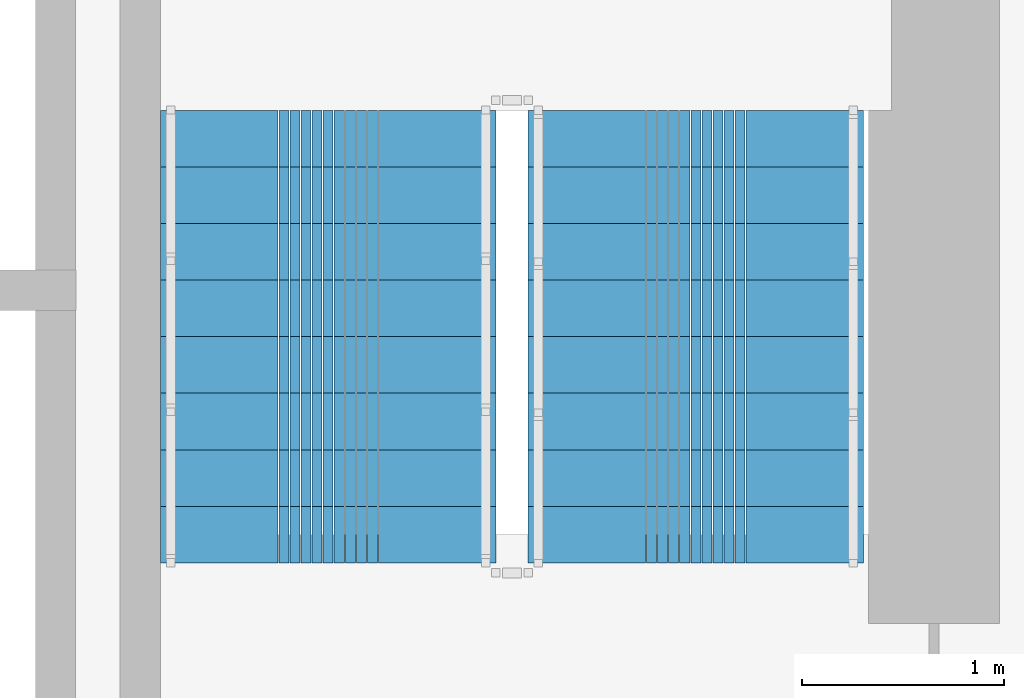
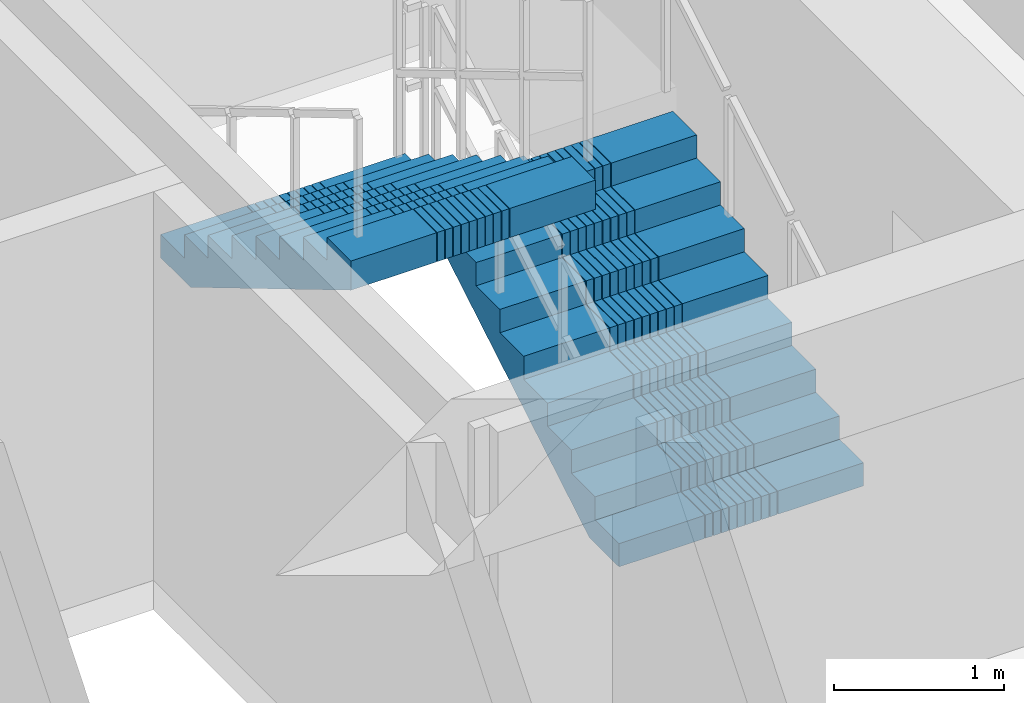
# One storey, part 9 of 15: 2 stair flights, 1 element without a shape of its own.
"""IFC4 building model written with IfcOpenShell, lengths in metres."""

from ifc_helpers import new_model, si_unit, direction, frame, origin, place, context, subcontext, project, spatial, polyline, outline, extrude, material, type_object, element, aggregate, save


model = new_model("IFC4")

# Units and contexts
model_context = context("Model", 3, precision=1e-05, world=origin(), true_north=direction((0.0, 1.0)))
body_context = subcontext(model_context, "Body", "Model", "MODEL_VIEW")
ifc_project = project(units=[si_unit("LENGTHUNIT", "METRE"), si_unit("AREAUNIT", "SQUARE_METRE"), si_unit("VOLUMEUNIT", "CUBIC_METRE"), si_unit("PLANEANGLEUNIT", "RADIAN"), si_unit("MASSUNIT", "GRAM", prefix="KILO")], contexts=[model_context])

# Site, building, storey
site_placement = place(None, origin())
site = spatial("IfcSite", under=ifc_project, at=site_placement, CompositionType="ELEMENT")
building_placement = place(site_placement, origin())
building = spatial("IfcBuilding", under=site, at=building_placement, Name="Saelheon Loggia Tower", CompositionType="ELEMENT")
storey_placement = place(building_placement, frame((0.0, 0.0, 46.39990234375)))
storey = spatial("IfcBuildingStorey", under=building, at=storey_placement, Name="L14", CompositionType="ELEMENT", Elevation=46.39990234375)

# Stair, stair flights
ifc_material = material(Name="Concrete C40/50", Category="concrete")
stair_type = type_object("IfcStairType", Name="Stair_Escape_Core", PredefinedType="HALF_TURN_STAIR", material=ifc_material)
stair_placement = place(storey_placement, origin())
stair = element("IfcStair", 1, at=stair_placement, inside=storey, type_object=stair_type, Name="L14 Special Escape Stair ST2", PredefinedType="HALF_TURN_STAIR")
stair_flight_type = type_object("IfcStairFlightType", Name="StairFlight_Tower_1660", PredefinedType="STRAIGHT", material=ifc_material)
stair_flight_1_placement = place(storey_placement, frame((43.320068359375, 30.449951171875, 0.0), z_axis=(0.0, 0.0, 1.0), x_axis=(0.0, 1.0, 0.0)))
stair_flight_1 = element("IfcStairFlight", 2, at=stair_flight_1_placement, type_object=stair_flight_type, Name="ST2 flight 1", NumberOfRisers=9, NumberOfTreads=8, PredefinedType="STRAIGHT", RiserHeight=0.166666667, TreadLength=0.28, context=body_context, shape_type="SweptSolid", body=[
    extrude(outline(polyline([(0.0, 0.0), (0.0, 0.166748046875), (0.280029296875, 0.166748046875), (0.280029296875, 0.333251953125), (0.56005859375, 0.333251953125), (0.56005859375, 0.5), (0.840087890625, 0.5), (0.840087890625, 0.666748046875), (1.1201171875, 0.666748046875), (1.1201171875, 0.833251953125), (1.39990234375, 0.833251953125), (1.39990234375, 1.0), (1.679931640625, 1.0), (1.679931640625, 1.166748046875), (1.9599609375, 1.166748046875), (1.9599609375, 1.333251953125), (2.239990234375, 1.333251953125), (2.239990234375, 1.5), (2.239990234375, 1.1240234375), (0.351806640625, 0.0), (0.0, 0.0)])), frame((0.0, -0.2490234375, 0.0), z_axis=(0.0, -1.0, 0.0), x_axis=(1.0, 0.0, 0.0)), (0.0, 0.0, 1.0), 0.5810546875),
    extrude(outline(polyline([(0.0, 0.0), (0.0, 0.166748046875), (0.280029296875, 0.166748046875), (0.280029296875, 0.333251953125), (0.56005859375, 0.333251953125), (0.56005859375, 0.5), (0.840087890625, 0.5), (0.840087890625, 0.666748046875), (1.1201171875, 0.666748046875), (1.1201171875, 0.833251953125), (1.39990234375, 0.833251953125), (1.39990234375, 1.0), (1.679931640625, 1.0), (1.679931640625, 1.166748046875), (1.9599609375, 1.166748046875), (1.9599609375, 1.333251953125), (2.239990234375, 1.333251953125), (2.239990234375, 1.5), (2.239990234375, 1.1240234375), (0.351806640625, 0.0), (0.0, 0.0)])), frame((0.0, -0.194091796875, 0.0), z_axis=(0.0, -1.0, 0.0), x_axis=(1.0, 0.0, 0.0)), (0.0, 0.0, 1.0), 0.0498046875),
    extrude(outline(polyline([(0.0, 0.0), (0.0, 0.166748046875), (0.280029296875, 0.166748046875), (0.280029296875, 0.333251953125), (0.56005859375, 0.333251953125), (0.56005859375, 0.5), (0.840087890625, 0.5), (0.840087890625, 0.666748046875), (1.1201171875, 0.666748046875), (1.1201171875, 0.833251953125), (1.39990234375, 0.833251953125), (1.39990234375, 1.0), (1.679931640625, 1.0), (1.679931640625, 1.166748046875), (1.9599609375, 1.166748046875), (1.9599609375, 1.333251953125), (2.239990234375, 1.333251953125), (2.239990234375, 1.5), (2.239990234375, 1.1240234375), (0.351806640625, 0.0), (0.0, 0.0)])), frame((0.0, -0.139404296875, 0.0), z_axis=(0.0, -1.0, 0.0), x_axis=(1.0, 0.0, 0.0)), (0.0, 0.0, 1.0), 0.0498046875),
    extrude(outline(polyline([(0.0, 0.0), (0.0, 0.166748046875), (0.280029296875, 0.166748046875), (0.280029296875, 0.333251953125), (0.56005859375, 0.333251953125), (0.56005859375, 0.5), (0.840087890625, 0.5), (0.840087890625, 0.666748046875), (1.1201171875, 0.666748046875), (1.1201171875, 0.833251953125), (1.39990234375, 0.833251953125), (1.39990234375, 1.0), (1.679931640625, 1.0), (1.679931640625, 1.166748046875), (1.9599609375, 1.166748046875), (1.9599609375, 1.333251953125), (2.239990234375, 1.333251953125), (2.239990234375, 1.5), (2.239990234375, 1.1240234375), (0.351806640625, 0.0), (0.0, 0.0)])), frame((0.0, -0.084716796875, 0.0), z_axis=(0.0, -1.0, 0.0), x_axis=(1.0, 0.0, 0.0)), (0.0, 0.0, 1.0), 0.0498046875),
    extrude(outline(polyline([(0.0, 0.0), (0.0, 0.166748046875), (0.280029296875, 0.166748046875), (0.280029296875, 0.333251953125), (0.56005859375, 0.333251953125), (0.56005859375, 0.5), (0.840087890625, 0.5), (0.840087890625, 0.666748046875), (1.1201171875, 0.666748046875), (1.1201171875, 0.833251953125), (1.39990234375, 0.833251953125), (1.39990234375, 1.0), (1.679931640625, 1.0), (1.679931640625, 1.166748046875), (1.9599609375, 1.166748046875), (1.9599609375, 1.333251953125), (2.239990234375, 1.333251953125), (2.239990234375, 1.5), (2.239990234375, 1.1240234375), (0.351806640625, 0.0), (0.0, 0.0)])), frame((0.0, -0.02978515625, 0.0), z_axis=(0.0, -1.0, 0.0), x_axis=(1.0, 0.0, 0.0)), (0.0, 0.0, 1.0), 0.0498046875),
    extrude(outline(polyline([(0.0, 0.0), (0.0, 0.166748046875), (0.280029296875, 0.166748046875), (0.280029296875, 0.333251953125), (0.56005859375, 0.333251953125), (0.56005859375, 0.5), (0.840087890625, 0.5), (0.840087890625, 0.666748046875), (1.1201171875, 0.666748046875), (1.1201171875, 0.833251953125), (1.39990234375, 0.833251953125), (1.39990234375, 1.0), (1.679931640625, 1.0), (1.679931640625, 1.166748046875), (1.9599609375, 1.166748046875), (1.9599609375, 1.333251953125), (2.239990234375, 1.333251953125), (2.239990234375, 1.5), (2.239990234375, 1.1240234375), (0.351806640625, 0.0), (0.0, 0.0)])), frame((0.0, 0.02490234375, 0.0), z_axis=(0.0, -1.0, 0.0), x_axis=(1.0, 0.0, 0.0)), (0.0, 0.0, 1.0), 0.0498046875),
    extrude(outline(polyline([(0.0, 0.0), (0.0, 0.166748046875), (0.280029296875, 0.166748046875), (0.280029296875, 0.333251953125), (0.56005859375, 0.333251953125), (0.56005859375, 0.5), (0.840087890625, 0.5), (0.840087890625, 0.666748046875), (1.1201171875, 0.666748046875), (1.1201171875, 0.833251953125), (1.39990234375, 0.833251953125), (1.39990234375, 1.0), (1.679931640625, 1.0), (1.679931640625, 1.166748046875), (1.9599609375, 1.166748046875), (1.9599609375, 1.333251953125), (2.239990234375, 1.333251953125), (2.239990234375, 1.5), (2.239990234375, 1.1240234375), (0.351806640625, 0.0), (0.0, 0.0)])), frame((0.0, 0.07958984375, 0.0), z_axis=(0.0, -1.0, 0.0), x_axis=(1.0, 0.0, 0.0)), (0.0, 0.0, 1.0), 0.0498046875),
    extrude(outline(polyline([(0.0, 0.0), (0.0, 0.166748046875), (0.280029296875, 0.166748046875), (0.280029296875, 0.333251953125), (0.56005859375, 0.333251953125), (0.56005859375, 0.5), (0.840087890625, 0.5), (0.840087890625, 0.666748046875), (1.1201171875, 0.666748046875), (1.1201171875, 0.833251953125), (1.39990234375, 0.833251953125), (1.39990234375, 1.0), (1.679931640625, 1.0), (1.679931640625, 1.166748046875), (1.9599609375, 1.166748046875), (1.9599609375, 1.333251953125), (2.239990234375, 1.333251953125), (2.239990234375, 1.5), (2.239990234375, 1.1240234375), (0.351806640625, 0.0), (0.0, 0.0)])), frame((0.0, 0.134521484375, 0.0), z_axis=(0.0, -1.0, 0.0), x_axis=(1.0, 0.0, 0.0)), (0.0, 0.0, 1.0), 0.0498046875),
    extrude(outline(polyline([(0.0, 0.0), (0.0, 0.166748046875), (0.280029296875, 0.166748046875), (0.280029296875, 0.333251953125), (0.56005859375, 0.333251953125), (0.56005859375, 0.5), (0.840087890625, 0.5), (0.840087890625, 0.666748046875), (1.1201171875, 0.666748046875), (1.1201171875, 0.833251953125), (1.39990234375, 0.833251953125), (1.39990234375, 1.0), (1.679931640625, 1.0), (1.679931640625, 1.166748046875), (1.9599609375, 1.166748046875), (1.9599609375, 1.333251953125), (2.239990234375, 1.333251953125), (2.239990234375, 1.5), (2.239990234375, 1.1240234375), (0.351806640625, 0.0), (0.0, 0.0)])), frame((0.0, 0.189208984375, 0.0), z_axis=(0.0, -1.0, 0.0), x_axis=(1.0, 0.0, 0.0)), (0.0, 0.0, 1.0), 0.0498046875),
    extrude(outline(polyline([(0.0, 0.0), (0.0, 0.166748046875), (0.280029296875, 0.166748046875), (0.280029296875, 0.333251953125), (0.56005859375, 0.333251953125), (0.56005859375, 0.5), (0.840087890625, 0.5), (0.840087890625, 0.666748046875), (1.1201171875, 0.666748046875), (1.1201171875, 0.833251953125), (1.39990234375, 0.833251953125), (1.39990234375, 1.0), (1.679931640625, 1.0), (1.679931640625, 1.166748046875), (1.9599609375, 1.166748046875), (1.9599609375, 1.333251953125), (2.239990234375, 1.333251953125), (2.239990234375, 1.5), (2.239990234375, 1.1240234375), (0.351806640625, 0.0), (0.0, 0.0)])), frame((0.0, 0.243896484375, 0.0), z_axis=(0.0, -1.0, 0.0), x_axis=(1.0, 0.0, 0.0)), (0.0, 0.0, 1.0), 0.0498046875),
    extrude(outline(polyline([(0.0, 0.0), (0.0, 0.166748046875), (0.280029296875, 0.166748046875), (0.280029296875, 0.333251953125), (0.56005859375, 0.333251953125), (0.56005859375, 0.5), (0.840087890625, 0.5), (0.840087890625, 0.666748046875), (1.1201171875, 0.666748046875), (1.1201171875, 0.833251953125), (1.39990234375, 0.833251953125), (1.39990234375, 1.0), (1.679931640625, 1.0), (1.679931640625, 1.166748046875), (1.9599609375, 1.166748046875), (1.9599609375, 1.333251953125), (2.239990234375, 1.333251953125), (2.239990234375, 1.5), (2.239990234375, 1.1240234375), (0.351806640625, 0.0), (0.0, 0.0)])), frame((0.0, 0.830078125, 0.0), z_axis=(0.0, -1.0, 0.0), x_axis=(1.0, 0.0, 0.0)), (0.0, 0.0, 1.0), 0.5810546875),
])
stair_flight_2_placement = place(storey_placement, frame((41.5, 32.68994140625, 1.5), z_axis=(0.0, 0.0, 1.0), x_axis=(0.0, -1.0, 0.0)))
stair_flight_2 = element("IfcStairFlight", 3, at=stair_flight_2_placement, type_object=stair_flight_type, Name="ST2 flight 2", NumberOfRisers=9, NumberOfTreads=8, PredefinedType="STRAIGHT", RiserHeight=0.166666667, TreadLength=0.28, context=body_context, shape_type="SweptSolid", body=[
    extrude(outline(polyline([(0.0, 0.0), (0.0, 0.166748046875), (0.280029296875, 0.166748046875), (0.280029296875, 0.333251953125), (0.56005859375, 0.333251953125), (0.56005859375, 0.5), (0.840087890625, 0.5), (0.840087890625, 0.666748046875), (1.1201171875, 0.666748046875), (1.1201171875, 0.833251953125), (1.39990234375, 0.833251953125), (1.39990234375, 1.0), (1.679931640625, 1.0), (1.679931640625, 1.166748046875), (1.9599609375, 1.166748046875), (1.9599609375, 1.333251953125), (2.239990234375, 1.333251953125), (2.239990234375, 1.5), (2.239990234375, 1.1240234375), (0.351806640625, 0.0), (0.0, 0.0)])), frame((0.0, -0.2490234375, 0.0), z_axis=(0.0, -1.0, 0.0), x_axis=(1.0, 0.0, 0.0)), (0.0, 0.0, 1.0), 0.5810546875),
    extrude(outline(polyline([(0.0, 0.0), (0.0, 0.166748046875), (0.280029296875, 0.166748046875), (0.280029296875, 0.333251953125), (0.56005859375, 0.333251953125), (0.56005859375, 0.5), (0.840087890625, 0.5), (0.840087890625, 0.666748046875), (1.1201171875, 0.666748046875), (1.1201171875, 0.833251953125), (1.39990234375, 0.833251953125), (1.39990234375, 1.0), (1.679931640625, 1.0), (1.679931640625, 1.166748046875), (1.9599609375, 1.166748046875), (1.9599609375, 1.333251953125), (2.239990234375, 1.333251953125), (2.239990234375, 1.5), (2.239990234375, 1.1240234375), (0.351806640625, 0.0), (0.0, 0.0)])), frame((0.0, -0.194091796875, 0.0), z_axis=(0.0, -1.0, 0.0), x_axis=(1.0, 0.0, 0.0)), (0.0, 0.0, 1.0), 0.0498046875),
    extrude(outline(polyline([(0.0, 0.0), (0.0, 0.166748046875), (0.280029296875, 0.166748046875), (0.280029296875, 0.333251953125), (0.56005859375, 0.333251953125), (0.56005859375, 0.5), (0.840087890625, 0.5), (0.840087890625, 0.666748046875), (1.1201171875, 0.666748046875), (1.1201171875, 0.833251953125), (1.39990234375, 0.833251953125), (1.39990234375, 1.0), (1.679931640625, 1.0), (1.679931640625, 1.166748046875), (1.9599609375, 1.166748046875), (1.9599609375, 1.333251953125), (2.239990234375, 1.333251953125), (2.239990234375, 1.5), (2.239990234375, 1.1240234375), (0.351806640625, 0.0), (0.0, 0.0)])), frame((0.0, -0.139404296875, 0.0), z_axis=(0.0, -1.0, 0.0), x_axis=(1.0, 0.0, 0.0)), (0.0, 0.0, 1.0), 0.0498046875),
    extrude(outline(polyline([(0.0, 0.0), (0.0, 0.166748046875), (0.280029296875, 0.166748046875), (0.280029296875, 0.333251953125), (0.56005859375, 0.333251953125), (0.56005859375, 0.5), (0.840087890625, 0.5), (0.840087890625, 0.666748046875), (1.1201171875, 0.666748046875), (1.1201171875, 0.833251953125), (1.39990234375, 0.833251953125), (1.39990234375, 1.0), (1.679931640625, 1.0), (1.679931640625, 1.166748046875), (1.9599609375, 1.166748046875), (1.9599609375, 1.333251953125), (2.239990234375, 1.333251953125), (2.239990234375, 1.5), (2.239990234375, 1.1240234375), (0.351806640625, 0.0), (0.0, 0.0)])), frame((0.0, -0.084716796875, 0.0), z_axis=(0.0, -1.0, 0.0), x_axis=(1.0, 0.0, 0.0)), (0.0, 0.0, 1.0), 0.0498046875),
    extrude(outline(polyline([(0.0, 0.0), (0.0, 0.166748046875), (0.280029296875, 0.166748046875), (0.280029296875, 0.333251953125), (0.56005859375, 0.333251953125), (0.56005859375, 0.5), (0.840087890625, 0.5), (0.840087890625, 0.666748046875), (1.1201171875, 0.666748046875), (1.1201171875, 0.833251953125), (1.39990234375, 0.833251953125), (1.39990234375, 1.0), (1.679931640625, 1.0), (1.679931640625, 1.166748046875), (1.9599609375, 1.166748046875), (1.9599609375, 1.333251953125), (2.239990234375, 1.333251953125), (2.239990234375, 1.5), (2.239990234375, 1.1240234375), (0.351806640625, 0.0), (0.0, 0.0)])), frame((0.0, -0.02978515625, 0.0), z_axis=(0.0, -1.0, 0.0), x_axis=(1.0, 0.0, 0.0)), (0.0, 0.0, 1.0), 0.0498046875),
    extrude(outline(polyline([(0.0, 0.0), (0.0, 0.166748046875), (0.280029296875, 0.166748046875), (0.280029296875, 0.333251953125), (0.56005859375, 0.333251953125), (0.56005859375, 0.5), (0.840087890625, 0.5), (0.840087890625, 0.666748046875), (1.1201171875, 0.666748046875), (1.1201171875, 0.833251953125), (1.39990234375, 0.833251953125), (1.39990234375, 1.0), (1.679931640625, 1.0), (1.679931640625, 1.166748046875), (1.9599609375, 1.166748046875), (1.9599609375, 1.333251953125), (2.239990234375, 1.333251953125), (2.239990234375, 1.5), (2.239990234375, 1.1240234375), (0.351806640625, 0.0), (0.0, 0.0)])), frame((0.0, 0.02490234375, 0.0), z_axis=(0.0, -1.0, 0.0), x_axis=(1.0, 0.0, 0.0)), (0.0, 0.0, 1.0), 0.0498046875),
    extrude(outline(polyline([(0.0, 0.0), (0.0, 0.166748046875), (0.280029296875, 0.166748046875), (0.280029296875, 0.333251953125), (0.56005859375, 0.333251953125), (0.56005859375, 0.5), (0.840087890625, 0.5), (0.840087890625, 0.666748046875), (1.1201171875, 0.666748046875), (1.1201171875, 0.833251953125), (1.39990234375, 0.833251953125), (1.39990234375, 1.0), (1.679931640625, 1.0), (1.679931640625, 1.166748046875), (1.9599609375, 1.166748046875), (1.9599609375, 1.333251953125), (2.239990234375, 1.333251953125), (2.239990234375, 1.5), (2.239990234375, 1.1240234375), (0.351806640625, 0.0), (0.0, 0.0)])), frame((0.0, 0.07958984375, 0.0), z_axis=(0.0, -1.0, 0.0), x_axis=(1.0, 0.0, 0.0)), (0.0, 0.0, 1.0), 0.0498046875),
    extrude(outline(polyline([(0.0, 0.0), (0.0, 0.166748046875), (0.280029296875, 0.166748046875), (0.280029296875, 0.333251953125), (0.56005859375, 0.333251953125), (0.56005859375, 0.5), (0.840087890625, 0.5), (0.840087890625, 0.666748046875), (1.1201171875, 0.666748046875), (1.1201171875, 0.833251953125), (1.39990234375, 0.833251953125), (1.39990234375, 1.0), (1.679931640625, 1.0), (1.679931640625, 1.166748046875), (1.9599609375, 1.166748046875), (1.9599609375, 1.333251953125), (2.239990234375, 1.333251953125), (2.239990234375, 1.5), (2.239990234375, 1.1240234375), (0.351806640625, 0.0), (0.0, 0.0)])), frame((0.0, 0.134521484375, 0.0), z_axis=(0.0, -1.0, 0.0), x_axis=(1.0, 0.0, 0.0)), (0.0, 0.0, 1.0), 0.0498046875),
    extrude(outline(polyline([(0.0, 0.0), (0.0, 0.166748046875), (0.280029296875, 0.166748046875), (0.280029296875, 0.333251953125), (0.56005859375, 0.333251953125), (0.56005859375, 0.5), (0.840087890625, 0.5), (0.840087890625, 0.666748046875), (1.1201171875, 0.666748046875), (1.1201171875, 0.833251953125), (1.39990234375, 0.833251953125), (1.39990234375, 1.0), (1.679931640625, 1.0), (1.679931640625, 1.166748046875), (1.9599609375, 1.166748046875), (1.9599609375, 1.333251953125), (2.239990234375, 1.333251953125), (2.239990234375, 1.5), (2.239990234375, 1.1240234375), (0.351806640625, 0.0), (0.0, 0.0)])), frame((0.0, 0.189208984375, 0.0), z_axis=(0.0, -1.0, 0.0), x_axis=(1.0, 0.0, 0.0)), (0.0, 0.0, 1.0), 0.0498046875),
    extrude(outline(polyline([(0.0, 0.0), (0.0, 0.166748046875), (0.280029296875, 0.166748046875), (0.280029296875, 0.333251953125), (0.56005859375, 0.333251953125), (0.56005859375, 0.5), (0.840087890625, 0.5), (0.840087890625, 0.666748046875), (1.1201171875, 0.666748046875), (1.1201171875, 0.833251953125), (1.39990234375, 0.833251953125), (1.39990234375, 1.0), (1.679931640625, 1.0), (1.679931640625, 1.166748046875), (1.9599609375, 1.166748046875), (1.9599609375, 1.333251953125), (2.239990234375, 1.333251953125), (2.239990234375, 1.5), (2.239990234375, 1.1240234375), (0.351806640625, 0.0), (0.0, 0.0)])), frame((0.0, 0.243896484375, 0.0), z_axis=(0.0, -1.0, 0.0), x_axis=(1.0, 0.0, 0.0)), (0.0, 0.0, 1.0), 0.0498046875),
    extrude(outline(polyline([(0.0, 0.0), (0.0, 0.166748046875), (0.280029296875, 0.166748046875), (0.280029296875, 0.333251953125), (0.56005859375, 0.333251953125), (0.56005859375, 0.5), (0.840087890625, 0.5), (0.840087890625, 0.666748046875), (1.1201171875, 0.666748046875), (1.1201171875, 0.833251953125), (1.39990234375, 0.833251953125), (1.39990234375, 1.0), (1.679931640625, 1.0), (1.679931640625, 1.166748046875), (1.9599609375, 1.166748046875), (1.9599609375, 1.333251953125), (2.239990234375, 1.333251953125), (2.239990234375, 1.5), (2.239990234375, 1.1240234375), (0.351806640625, 0.0), (0.0, 0.0)])), frame((0.0, 0.830078125, 0.0), z_axis=(0.0, -1.0, 0.0), x_axis=(1.0, 0.0, 0.0)), (0.0, 0.0, 1.0), 0.5810546875),
])
aggregate(stair, [stair_flight_1, stair_flight_2])

save(model, "model.ifc")
